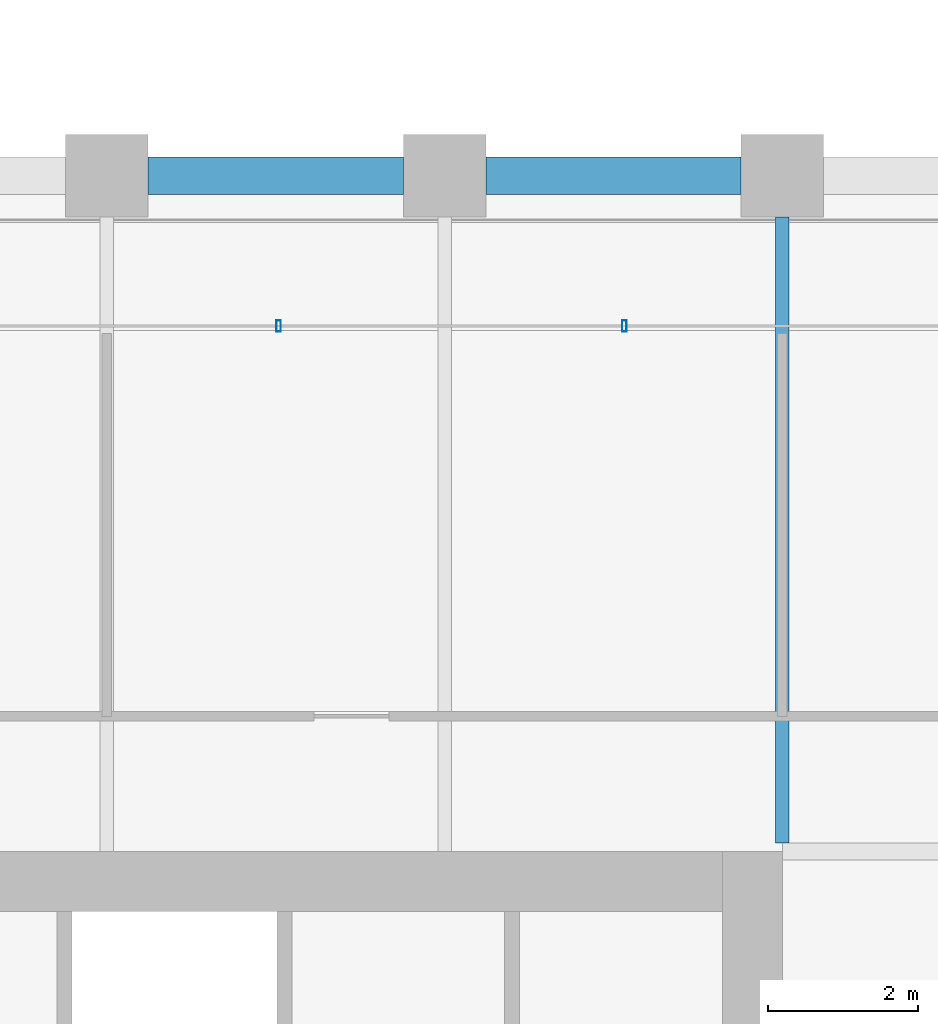
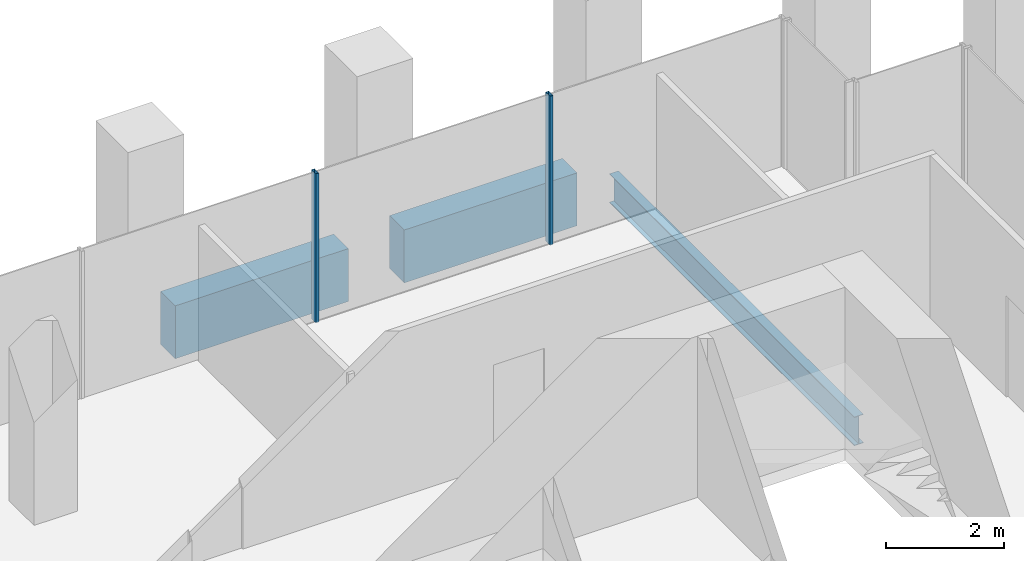
# One storey, part 44 of 54: 3 beams, 2 members, 1 element without a shape of its own.
"""IFC4 building model written with IfcOpenShell, lengths in metres."""

from ifc_helpers import new_model, si_unit, direction, frame, origin, origin_2d, place, context, subcontext, project, spatial, rectangle, hollow_rectangle, i_section, extrude, material, material_profile, profile_set, type_object, element, aggregate, save


model = new_model("IFC4")

# Units and contexts
model_context = context("Model", 3, precision=1e-05, world=origin(), true_north=direction((0.0, 1.0)))
body_context = subcontext(model_context, "Body", "Model", "MODEL_VIEW")
ifc_project = project(units=[si_unit("LENGTHUNIT", "METRE"), si_unit("AREAUNIT", "SQUARE_METRE"), si_unit("VOLUMEUNIT", "CUBIC_METRE"), si_unit("PLANEANGLEUNIT", "RADIAN"), si_unit("MASSUNIT", "GRAM", prefix="KILO")], contexts=[model_context])

# Site, building, storey
site_placement = place(None, origin())
site = spatial("IfcSite", under=ifc_project, at=site_placement, CompositionType="ELEMENT")
building_placement = place(site_placement, origin())
building = spatial("IfcBuilding", under=site, at=building_placement, Name="Altepetl Exchange Towers", CompositionType="ELEMENT")
storey_placement = place(building_placement, frame((0.0, 0.0, 65.39990234375)))
storey = spatial("IfcBuildingStorey", under=building, at=storey_placement, Name="L15", CompositionType="ELEMENT", Elevation=65.39990234375)

# Beam
ifc_material_1 = material(Name="Steel S355", Category="steel")
ifc_material_profile_1 = material_profile(ifc_material_1, i_section(OverallWidth=0.177978515625, OverallDepth=0.59912109375, WebThickness=0.010009765625, FlangeThickness=0.0126953125, at=origin_2d()), Name="W24X55")
ifc_profile_set_1 = profile_set([ifc_material_profile_1], Name="Steel S355")
beam_type_1 = type_object("IfcBeamType", Name="Floor beam W24X55", PredefinedType="BEAM", material=ifc_profile_set_1)
beam_placement = place(storey_placement, frame((117.0, 49.614013671875, -0.449462890625), z_axis=(0.0, 1.0, 0.0), x_axis=(-1.0, 0.0, 0.0)))
element("IfcBeam", 1, at=beam_placement, inside=storey, type_object=beam_type_1, Name="bm:B:L15:002", PredefinedType="BEAM", context=body_context, shape_type="SweptSolid", body=[
    extrude(i_section(OverallWidth=0.177978515625, OverallDepth=0.59912109375, WebThickness=0.010009765625, FlangeThickness=0.0126953125, at=origin_2d()), origin(), (0.0, 0.0, 1.0), 8.3359375),
])

# Curtain wall, members
ifc_material_2 = material(Name="Aluminium 6063-T6 glazing", Category="aluminium")
curtain_wall_type = type_object("IfcCurtainWallType", Name="Loggia glazing system", PredefinedType="NOTDEFINED", material=ifc_material_2)
curtain_wall_placement = place(storey_placement, origin())
curtain_wall = element("IfcCurtainWall", 2, at=curtain_wall_placement, inside=storey, type_object=curtain_wall_type, Name="CW1 run", PredefinedType="NOTDEFINED")
ifc_material_3 = material(Name="Aluminium 6063-T6", Category="aluminium")
ifc_material_profile_2 = material_profile(ifc_material_3, hollow_rectangle(XDim=0.06005859375, YDim=0.14990234375, WallThickness=0.0029296875, at=origin_2d()), Name="Mullion 60x150 aluminium")
ifc_profile_set_2 = profile_set([ifc_material_profile_2], Name="Aluminium 6063-T6")
member_type = type_object("IfcMemberType", Name="Mullion 60x150 aluminium", PredefinedType="MULLION", material=ifc_profile_set_2)
member_1_placement = place(storey_placement, frame((114.893798828125, 56.5, 0.0), z_axis=(0.0, 0.0, 1.0), x_axis=(-1.0, 0.0, 0.0)))
member_1 = element("IfcMember", 3, at=member_1_placement, type_object=member_type, Name="MU1 mullion", PredefinedType="MULLION", context=body_context, shape_type="SweptSolid", body=[
    extrude(hollow_rectangle(XDim=0.06005859375, YDim=0.14990234375, WallThickness=0.0029296875, at=origin_2d()), origin(), (0.0, 0.0, 1.0), 3.10009765625),
])
member_2_placement = place(storey_placement, frame((110.28759765625, 56.5, 0.0), z_axis=(0.0, 0.0, 1.0), x_axis=(-1.0, 0.0, 0.0)))
member_2 = element("IfcMember", 4, at=member_2_placement, type_object=member_type, Name="MU1 mullion", PredefinedType="MULLION", context=body_context, shape_type="SweptSolid", body=[
    extrude(hollow_rectangle(XDim=0.06005859375, YDim=0.14990234375, WallThickness=0.0029296875, at=origin_2d()), origin(), (0.0, 0.0, 1.0), 3.10009765625),
])
aggregate(curtain_wall, [member_1, member_2])

# Beams
ifc_material_4 = material(Name="Concrete C50/60 precast with cantera amarilla facing", Category="concrete")
ifc_material_profile_3 = material_profile(ifc_material_4, rectangle(XDim=0.5, YDim=1.10009765625, at=origin_2d()), Name="500 x 1100")
ifc_profile_set_3 = profile_set([ifc_material_profile_3], Name="Concrete C50/60 precast with cantera amarilla facing")
beam_type_2 = type_object("IfcBeamType", Name="Spandrel beam 500x1100 cantera amarilla", PredefinedType="SPANDREL", material=ifc_profile_set_3)
for number, where, z_axis, x_axis, name in (
    (5, (116.449951171875, 58.5, -0.699951171875), (-1.0, 0.0, 0.0), (0.0, -1.0, 0.0), "sp:B:L15:019"),
    (6, (111.949951171875, 58.5, -0.699951171875), (-1.0, 0.0, 0.0), (0.0, -1.0, 0.0), "sp:B:L15:020"),
):
    element("IfcBeam", number, at=place(storey_placement, frame(where, z_axis=z_axis, x_axis=x_axis)), inside=storey, type_object=beam_type_2, Name=name, PredefinedType="SPANDREL", context=body_context, shape_type="SweptSolid", body=[
        extrude(rectangle(XDim=0.5, YDim=1.10009765625, at=origin_2d()), origin(), (0.0, 0.0, 1.0), 3.39990234375),
    ])

save(model, "model.ifc")
